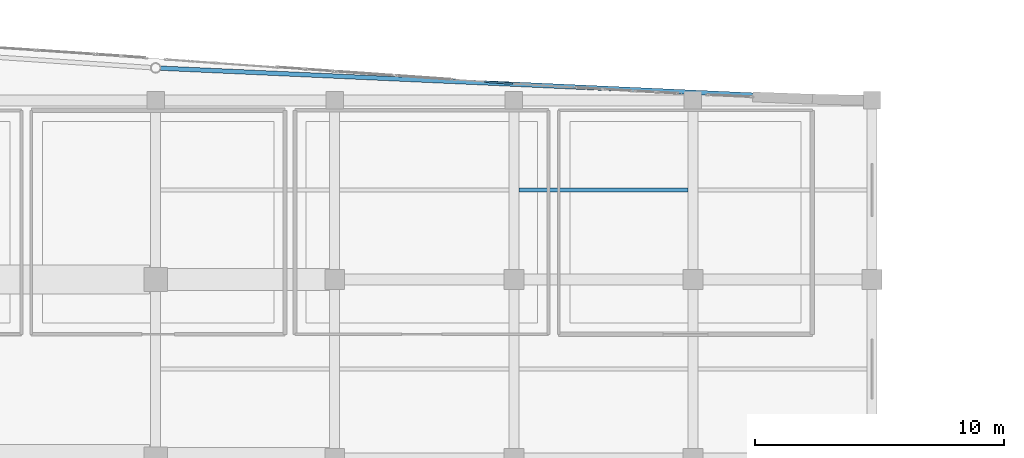
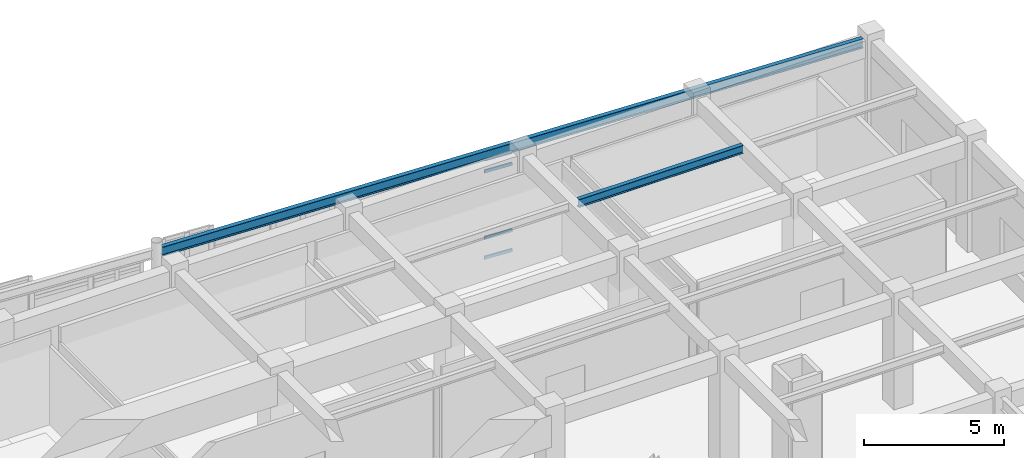
# One storey, part 62 of 117: 4 members, 2 beams, 1 element without a shape of its own.
"""IFC4 building model written with IfcOpenShell, lengths in metres."""

from ifc_helpers import new_model, si_unit, direction, frame, origin, origin_2d, place, context, subcontext, project, spatial, hollow_rectangle, i_section, extrude, material, layer, layer_set, material_profile, profile_set, type_object, element, aggregate, save


model = new_model("IFC4")

# Units and contexts
model_context = context("Model", 3, precision=1e-05, world=origin(), true_north=direction((0.0, 1.0)))
body_context = subcontext(model_context, "Body", "Model", "MODEL_VIEW")
ifc_project = project(units=[si_unit("LENGTHUNIT", "METRE"), si_unit("AREAUNIT", "SQUARE_METRE"), si_unit("VOLUMEUNIT", "CUBIC_METRE"), si_unit("PLANEANGLEUNIT", "RADIAN"), si_unit("MASSUNIT", "GRAM", prefix="KILO")], contexts=[model_context])

# Site, building, storey
site_placement = place(None, origin())
site = spatial("IfcSite", under=ifc_project, at=site_placement, CompositionType="ELEMENT")
building_placement = place(site_placement, origin())
building = spatial("IfcBuilding", under=site, at=building_placement, Name="Carrowvane Square Congress Hotel", CompositionType="ELEMENT")
storey_placement = place(building_placement, frame((0.0, 0.0, 5.39990234375)))
storey = spatial("IfcBuildingStorey", under=building, at=storey_placement, Name="L01", CompositionType="ELEMENT", Elevation=5.39990234375)

# Beams
ifc_material_1 = material(Name="Steel S355", Category="steel")
ifc_material_profile_1 = material_profile(ifc_material_1, i_section(OverallWidth=0.172119140625, OverallDepth=0.35791015625, WebThickness=0.008056640625, FlangeThickness=0.012939453125, FilletRadius=0.01025390625, at=origin_2d()), Name="UKB 356x171x57")
ifc_profile_set_1 = profile_set([ifc_material_profile_1], Name="Steel S355")
beam_type_1 = type_object("IfcBeamType", Name="BM-ST-UKB356", PredefinedType="JOIST", material=ifc_profile_set_1)
beam_1_placement = place(storey_placement, frame((148.60009765625, 109.800048828125, 4.60107421875), z_axis=(1.0, 0.0, 0.0), x_axis=(0.0, 1.0, 0.0)))
element("IfcBeam", 1, at=beam_1_placement, inside=storey, type_object=beam_type_1, Name="L02 secondary joist 20-21", PredefinedType="JOIST", context=body_context, shape_type="SweptSolid", body=[
    extrude(i_section(OverallWidth=0.172119140625, OverallDepth=0.35791015625, WebThickness=0.008056640625, FlangeThickness=0.012939453125, FilletRadius=0.01025390625, at=origin_2d()), origin(), (0.0, 0.0, 1.0), 6.7998046875),
])
ifc_material_2 = material(Name="Steel S355", Category="steel")
ifc_material_profile_2 = material_profile(ifc_material_2, i_section(OverallWidth=0.1787109375, OverallDepth=0.409423828125, WebThickness=0.0087890625, FlangeThickness=0.014404296875, FilletRadius=0.01025390625, at=origin_2d()), Name="UKB 406x178x67")
ifc_profile_set_2 = profile_set([ifc_material_profile_2], Name="Steel S355")
beam_type_2 = type_object("IfcBeamType", Name="BM-ST-UKB406", PredefinedType="BEAM", material=ifc_profile_set_2)
beam_2_placement = place(storey_placement, frame((134.202880859375, 114.69677734375, 4.575439453125), z_axis=(0.998973305659, -0.045302699476, 0.0), x_axis=(0.045302699476, 0.998973305659, 0.0)))
element("IfcBeam", 2, at=beam_2_placement, inside=storey, type_object=beam_type_2, Name="L02 curved north spandrel", PredefinedType="BEAM", context=body_context, shape_type="SweptSolid", body=[
    extrude(i_section(OverallWidth=0.1787109375, OverallDepth=0.409423828125, WebThickness=0.0087890625, FlangeThickness=0.014404296875, FilletRadius=0.01025390625, at=origin_2d()), origin(), (0.0, 0.0, 1.0), 28.276611328125),
])

# Curtain wall, members
ifc_material_3 = material(Name="Anodised aluminium", Category="aluminium")
ifc_layer = layer(ifc_material_3, 0.2099609375)
ifc_layer_set = layer_set([ifc_layer], Name="Anodised aluminium")
curtain_wall_type = type_object("IfcCurtainWallType", Name="CW-SYS-5", PredefinedType="NOTDEFINED", material=ifc_layer_set)
curtain_wall_placement = place(storey_placement, origin())
curtain_wall = element("IfcCurtainWall", 3, at=curtain_wall_placement, inside=storey, type_object=curtain_wall_type, Name="L01 unitised curtain wall 108", PredefinedType="NOTDEFINED")
ifc_material_4 = material(Name="Anodised aluminium", Category="aluminium")
ifc_material_profile_3 = material_profile(ifc_material_4, hollow_rectangle(XDim=0.06005859375, YDim=0.1298828125, WallThickness=0.00390625, at=origin_2d()), Name="CW-TR 60x130x4")
ifc_profile_set_3 = profile_set([ifc_material_profile_3], Name="Anodised aluminium")
member_type = type_object("IfcMemberType", Name="CW-TRN-1", PredefinedType="USERDEFINED", material=ifc_profile_set_3)
member_1_placement = place(storey_placement, frame((147.22998046875, 114.1533203125, 0.030029296875), z_axis=(0.997787099366, -0.066489881484, 0.0), x_axis=(0.066489881484, 0.997787099366, 0.0)))
member_1 = element("IfcMember", 4, at=member_1_placement, type_object=member_type, Name="CW-5 transom 2.1", ObjectType="TRANSOM", PredefinedType="USERDEFINED", context=body_context, shape_type="SweptSolid", body=[
    extrude(hollow_rectangle(XDim=0.06005859375, YDim=0.1298828125, WallThickness=0.00390625, at=origin_2d()), origin(), (0.0, 0.0, 1.0), 1.112548828125),
])
member_2_placement = place(storey_placement, frame((147.22998046875, 114.1533203125, 0.900146484375), z_axis=(0.997787099366, -0.066489881484, 0.0), x_axis=(0.066489881484, 0.997787099366, 0.0)))
member_2 = element("IfcMember", 5, at=member_2_placement, type_object=member_type, Name="CW-5 transom 2.2", ObjectType="TRANSOM", PredefinedType="USERDEFINED", context=body_context, shape_type="SweptSolid", body=[
    extrude(hollow_rectangle(XDim=0.06005859375, YDim=0.1298828125, WallThickness=0.00390625, at=origin_2d()), origin(), (0.0, 0.0, 1.0), 1.112548828125),
])
member_3_placement = place(storey_placement, frame((147.22998046875, 114.1533203125, 3.8056640625), z_axis=(0.997787099366, -0.066489881484, 0.0), x_axis=(0.066489881484, 0.997787099366, 0.0)))
member_3 = element("IfcMember", 6, at=member_3_placement, type_object=member_type, Name="CW-5 transom 2.3", ObjectType="TRANSOM", PredefinedType="USERDEFINED", context=body_context, shape_type="SweptSolid", body=[
    extrude(hollow_rectangle(XDim=0.06005859375, YDim=0.1298828125, WallThickness=0.00390625, at=origin_2d()), origin(), (0.0, 0.0, 1.0), 1.112548828125),
])
member_4_placement = place(storey_placement, frame((147.22998046875, 114.1533203125, 4.32568359375), z_axis=(0.997787099366, -0.066489881484, 0.0), x_axis=(0.066489881484, 0.997787099366, 0.0)))
member_4 = element("IfcMember", 7, at=member_4_placement, type_object=member_type, Name="CW-5 transom 2.4", ObjectType="TRANSOM", PredefinedType="USERDEFINED", context=body_context, shape_type="SweptSolid", body=[
    extrude(hollow_rectangle(XDim=0.06005859375, YDim=0.1298828125, WallThickness=0.00390625, at=origin_2d()), origin(), (0.0, 0.0, 1.0), 1.112548828125),
])
aggregate(curtain_wall, [member_1, member_2, member_3, member_4])

save(model, "model.ifc")
